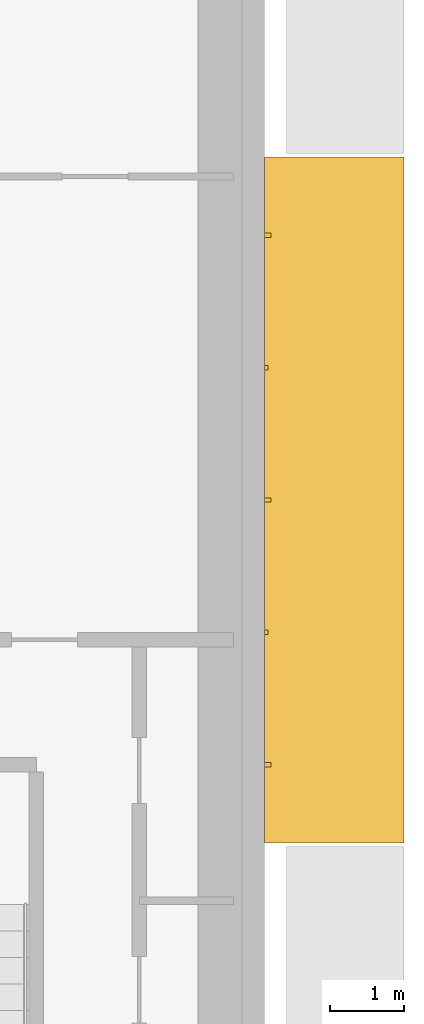
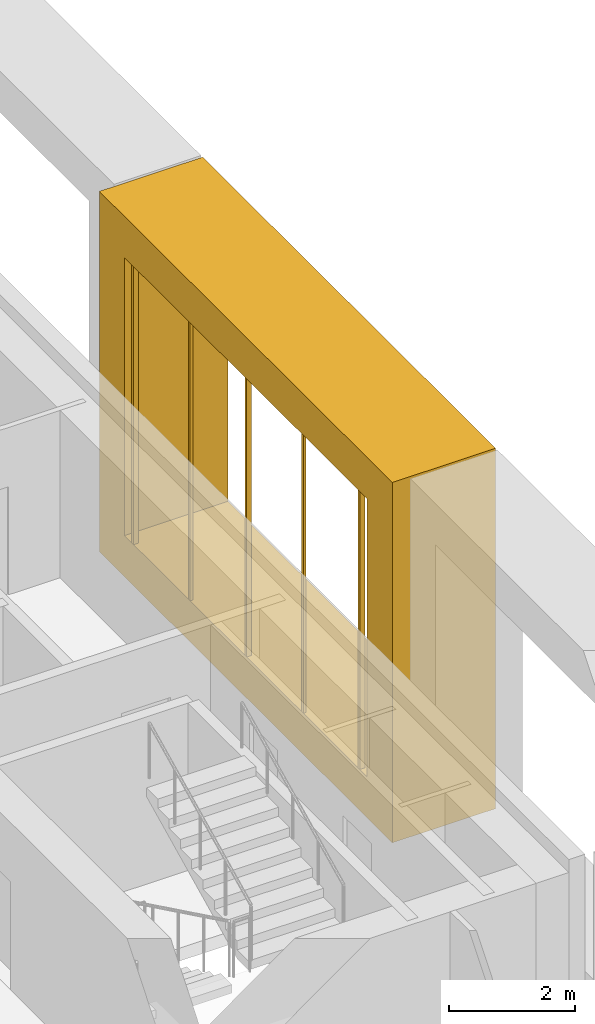
# One storey, part 18 of 20: 6 coverings.
"""IFC4 building model written with IfcOpenShell, lengths in metres."""

from ifc_helpers import new_model, si_unit, direction, frame, origin, origin_2d, place, context, subcontext, project, spatial, polyline, rectangle, outline, extrude, material, type_object, element, save


model = new_model("IFC4")

# Units and contexts
model_context = context("Model", 3, precision=1e-05, world=origin(), true_north=direction((0.0, 1.0)))
body_context = subcontext(model_context, "Body", "Model", "MODEL_VIEW")
ifc_project = project(units=[si_unit("LENGTHUNIT", "METRE"), si_unit("AREAUNIT", "SQUARE_METRE"), si_unit("VOLUMEUNIT", "CUBIC_METRE"), si_unit("PLANEANGLEUNIT", "RADIAN"), si_unit("MASSUNIT", "GRAM", prefix="KILO")], contexts=[model_context])

# Site, building, storey
site_placement = place(None, origin())
site = spatial("IfcSite", under=ifc_project, at=site_placement, CompositionType="ELEMENT")
building_placement = place(site_placement, origin())
building = spatial("IfcBuilding", under=site, at=building_placement, Name="Cobrizo Arcos Hotel Tower", CompositionType="ELEMENT")
storey_placement = place(building_placement, frame((0.0, 0.0, 96.0)))
storey = spatial("IfcBuildingStorey", under=building, at=storey_placement, Name="L23", CompositionType="ELEMENT", Elevation=96.0)

# Coverings
ifc_material_1 = material(Name="Aluminium 6063-T6 anodised bronze", Category="aluminium")
covering_type_1 = type_object("IfcCoveringType", Name="FIN-F 1900", PredefinedType="CLADDING", material=ifc_material_1)
covering_placement = place(storey_placement, frame((23.10009765625, -4.66259765625, 0.0), z_axis=(1.0, 0.0, 0.0), x_axis=(0.0, 1.0, 0.0)))
element("IfcCovering", 1, at=covering_placement, inside=storey, type_object=covering_type_1, Name="Fin frame 108", PredefinedType="CLADDING", context=body_context, shape_type="SweptSolid", body=[
    extrude(outline(polyline([(0.0, 7.0), (0.0, 0.0), (9.324951171875, 0.0), (9.324951171875, 7.0), (0.0, 7.0)]), holes=[polyline([(8.52490234375, 0.800048828125), (0.800048828125, 0.800048828125), (0.800048828125, 6.199951171875), (8.52490234375, 6.199951171875), (8.52490234375, 0.800048828125)])]), origin(), (0.0, 0.0, 1.0), 1.89990234375),
])
ifc_material_2 = material(Name="Aluminium 6063-T6 anodised pale", Category="aluminium")
covering_type_2 = type_object("IfcCoveringType", Name="RS-1 rainscreen rib 60x90", PredefinedType="CLADDING", material=ifc_material_2)
for number, where, z_axis, x_axis, name in (
    (2, (23.14501953125, -3.60009765625, 0.800048828125), (0.0, 0.0, 1.0), (0.0, 1.0, 0.0), "Rainscreen rib 129"),
    (3, (23.14501953125, 0.0, 0.800048828125), (0.0, 0.0, 1.0), (0.0, 1.0, 0.0), "Rainscreen rib 131"),
    (4, (23.14501953125, 3.60009765625, 0.800048828125), (0.0, 0.0, 1.0), (0.0, 1.0, 0.0), "Rainscreen rib 133"),
):
    element("IfcCovering", number, at=place(storey_placement, frame(where, z_axis=z_axis, x_axis=x_axis)), inside=storey, type_object=covering_type_2, Name=name, PredefinedType="CLADDING", context=body_context, shape_type="SweptSolid", body=[
        extrude(rectangle(XDim=0.06005859375, YDim=0.090087890625, at=origin_2d()), origin(), (0.0, 0.0, 1.0), 5.39990234375),
    ])
covering_type_3 = type_object("IfcCoveringType", Name="RS-2 rainscreen rib 60x50", PredefinedType="CLADDING", material=ifc_material_2)
for number, where, z_axis, x_axis, name in (
    (5, (23.125, -1.800048828125, 0.800048828125), (0.0, 0.0, 1.0), (0.0, 1.0, 0.0), "Rainscreen rib 130"),
    (6, (23.125, 1.800048828125, 0.800048828125), (0.0, 0.0, 1.0), (0.0, 1.0, 0.0), "Rainscreen rib 132"),
):
    element("IfcCovering", number, at=place(storey_placement, frame(where, z_axis=z_axis, x_axis=x_axis)), inside=storey, type_object=covering_type_3, Name=name, PredefinedType="CLADDING", context=body_context, shape_type="SweptSolid", body=[
        extrude(rectangle(XDim=0.06005859375, YDim=0.050048828125, at=origin_2d()), origin(), (0.0, 0.0, 1.0), 5.39990234375),
    ])

save(model, "model.ifc")
